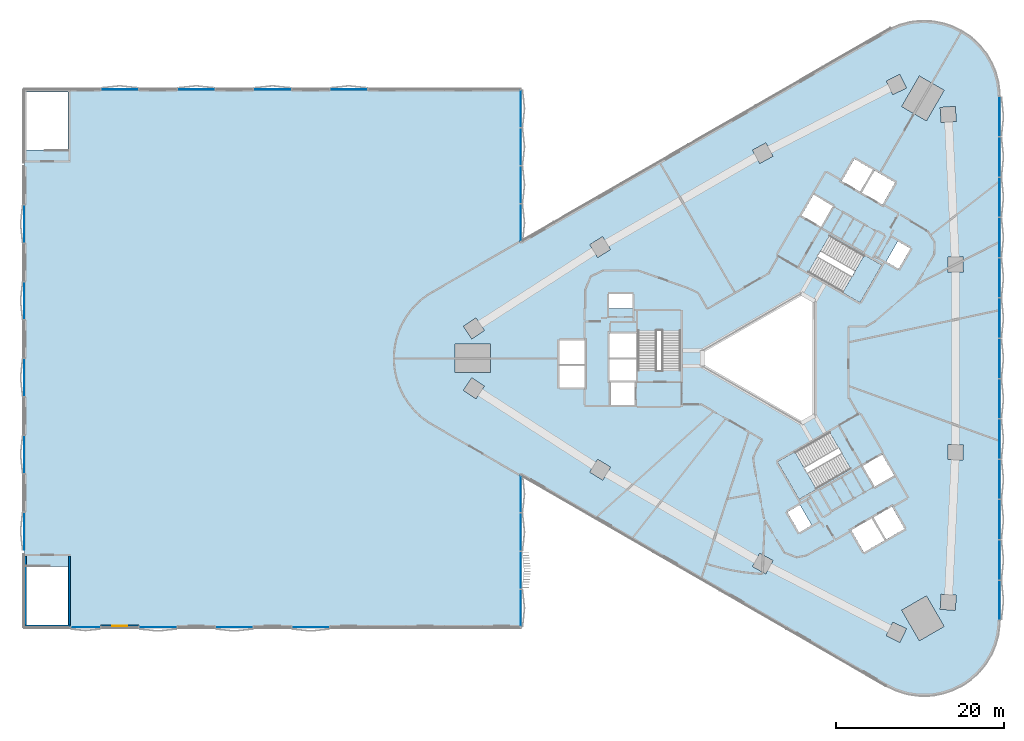
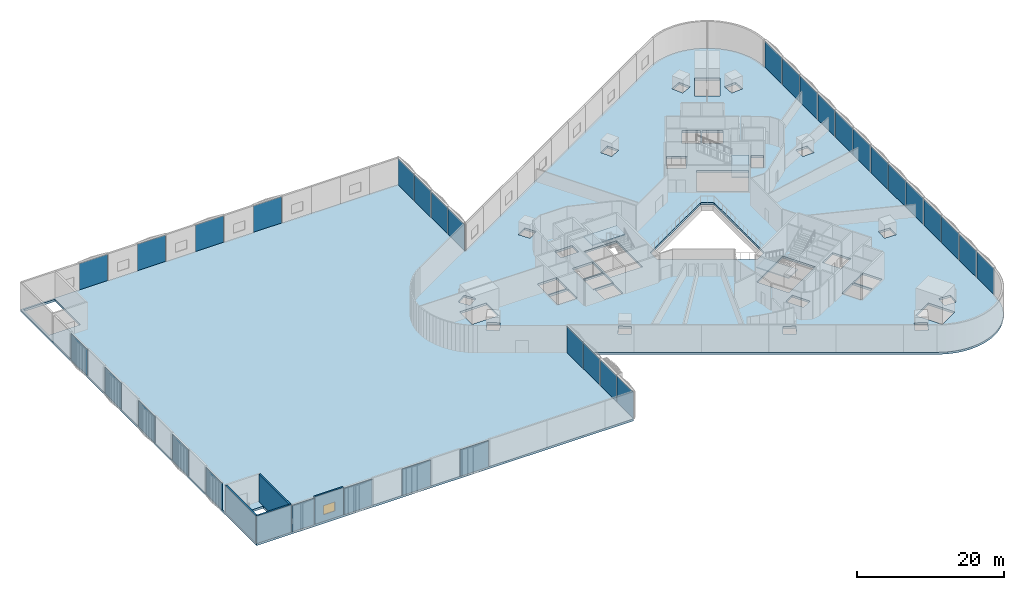
# One storey, part 10 of 24: 34 plates, 4 slabs, 4 walls, 1 window, 1 opening, 7 elements without a shape of their own.
"""IFC4 building model written with IfcOpenShell, lengths in metres."""

from ifc_helpers import new_model, si_unit, direction, frame, frame_2d, origin, origin_2d, place, context, subcontext, project, spatial, polyline, rectangle, outline, extrude, material, layer, layer_set, type_object, element, fill, aggregate, save


model = new_model("IFC4")

# Units and contexts
model_context = context("Model", 3, precision=1e-05, world=origin(), true_north=direction((0.0, 1.0)))
body_context = subcontext(model_context, "Body", "Model", "MODEL_VIEW")
ifc_project = project(units=[si_unit("LENGTHUNIT", "METRE"), si_unit("AREAUNIT", "SQUARE_METRE"), si_unit("VOLUMEUNIT", "CUBIC_METRE"), si_unit("PLANEANGLEUNIT", "RADIAN"), si_unit("MASSUNIT", "GRAM", prefix="KILO")], contexts=[model_context])

# Site, building, storey
site_placement = place(None, origin())
site = spatial("IfcSite", under=ifc_project, at=site_placement, CompositionType="ELEMENT")
building_placement = place(site_placement, origin())
building = spatial("IfcBuilding", under=site, at=building_placement, Name="Tamra Quay Hotel Tower", CompositionType="ELEMENT")
storey_placement = place(building_placement, frame((0.0, 0.0, 19.5)))
storey = spatial("IfcBuildingStorey", under=building, at=storey_placement, Name="L03", CompositionType="ELEMENT", Elevation=19.5)

# Stair, slab
ifc_material_1 = material(Name="Exit stair 2200 34 risers 147.1 going 299")
stair_type = type_object("IfcStairType", Name="Exit stair 2200 34 risers 147.1 going 299", PredefinedType="HALF_TURN_STAIR", material=ifc_material_1)
stair_1_placement = place(storey_placement, origin())
stair_1 = element("IfcStair", 1, at=stair_1_placement, inside=storey, type_object=stair_type, Name="L03 Exit stair ST3", PredefinedType="HALF_TURN_STAIR")
ifc_material_2 = material(Name="Concrete M70", Category="concrete")
ifc_layer_1 = layer(ifc_material_2, 0.175048828125)
ifc_layer_set_1 = layer_set([ifc_layer_1], Name="Concrete M70 stair landing 180")
slab_type_1 = type_object("IfcSlabType", Name="Concrete M70 stair landing 180", PredefinedType="LANDING", material=ifc_layer_set_1)
slab_1_placement = place(storey_placement, frame((0.0, 0.0, 2.324951171875)))
slab_1 = element("IfcSlab", 2, at=slab_1_placement, type_object=slab_type_1, Name="ST3 landing 1", PredefinedType="LANDING", context=body_context, shape_type="SweptSolid", body=[
    extrude(outline(polyline([(-10.932373046875, 3.283935546875), (-10.932373046875, 5.679931640625), (-16.09130859375, 5.679931640625), (-16.09130859375, 3.283935546875), (-10.932373046875, 3.283935546875)])), origin(), (0.0, 0.0, 1.0), 0.175048828125),
])
aggregate(stair_1, [slab_1])

stair_2_placement = place(storey_placement, origin())
stair_2 = element("IfcStair", 3, at=stair_2_placement, inside=storey, type_object=stair_type, Name="L03 Exit stair ST1", PredefinedType="HALF_TURN_STAIR")
slab_2_placement = place(storey_placement, frame((0.0, 0.0, 2.324951171875)))
slab_2 = element("IfcSlab", 4, at=slab_2_placement, type_object=slab_type_1, Name="ST1 landing 1", PredefinedType="LANDING", context=body_context, shape_type="SweptSolid", body=[
    extrude(outline(polyline([(8.31005859375, 7.82568359375), (10.385009765625, 6.627685546875), (12.964599609375, 11.095458984375), (10.8896484375, 12.29345703125), (8.31005859375, 7.82568359375)])), origin(), (0.0, 0.0, 1.0), 0.175048828125),
])
aggregate(stair_2, [slab_2])

stair_3_placement = place(storey_placement, origin())
stair_3 = element("IfcStair", 5, at=stair_3_placement, inside=storey, type_object=stair_type, Name="L03 Exit stair ST2", PredefinedType="HALF_TURN_STAIR")
slab_3_placement = place(storey_placement, frame((0.0, 0.0, 2.324951171875)))
slab_3 = element("IfcSlab", 6, at=slab_3_placement, type_object=slab_type_1, Name="ST2 landing 1", PredefinedType="LANDING", context=body_context, shape_type="SweptSolid", body=[
    extrude(outline(polyline([(2.622314453125, -11.109619140625), (0.547119140625, -12.3076171875), (3.126708984375, -16.775390625), (5.20166015625, -15.577392578125), (2.622314453125, -11.109619140625)])), origin(), (0.0, 0.0, 1.0), 0.175048828125),
])
aggregate(stair_3, [slab_3])

# Slab
ifc_material_3 = material(Name="Concrete M60", Category="concrete")
ifc_layer_2 = layer(ifc_material_3, 0.35009765625)
ifc_layer_set_2 = layer_set([ifc_layer_2], Name="FLOOR SLAB PT 350")
slab_type_2 = type_object("IfcSlabType", Name="FLOOR SLAB PT 350", PredefinedType="FLOOR", material=ifc_layer_set_2)
slab_4_placement = place(storey_placement, frame((0.0, 0.0, -0.35009765625)))
element("IfcSlab", 7, at=slab_4_placement, inside=storey, type_object=slab_type_2, Name="SLAB-L03", PredefinedType="FLOOR", context=body_context, shape_type="SweptSolid", body=[
    extrude(outline(polyline([(-89.10009765625, -32.0), (-89.10009765625, 32.0), (-30.0, 32.0), (-30.0, 13.8564453125), (13.5, 38.97119140625), (14.019287109375, 39.248779296875), (14.555908203125, 39.49169921875), (15.10693359375, 39.69921875), (15.670654296875, 39.8701171875), (16.244140625, 40.00390625), (16.8251953125, 40.099853515625), (17.411376953125, 40.15771484375), (18.0, 40.177001953125), (18.588623046875, 40.15771484375), (19.1748046875, 40.099853515625), (19.755859375, 40.00390625), (20.329345703125, 39.8701171875), (20.89306640625, 39.69921875), (21.444091796875, 39.49169921875), (21.980712890625, 39.248779296875), (22.5, 38.97119140625), (23.0, 38.66015625), (23.47900390625, 38.317138671875), (23.93408203125, 37.943603515625), (24.364013671875, 37.541015625), (24.7666015625, 37.111083984375), (25.14013671875, 36.65576171875), (25.483154296875, 36.177001953125), (25.794189453125, 35.677001953125), (26.072021484375, 35.157470703125), (26.31494140625, 34.62109375), (26.5224609375, 34.06982421875), (26.693359375, 33.50634765625), (26.8271484375, 32.9326171875), (26.923095703125, 32.351806640625), (26.980712890625, 31.765380859375), (27.0, 31.177001953125), (27.0, -31.177001953125), (26.980712890625, -31.765380859375), (26.923095703125, -32.351806640625), (26.8271484375, -32.9326171875), (26.693359375, -33.50634765625), (26.5224609375, -34.06982421875), (26.31494140625, -34.62109375), (26.072021484375, -35.157470703125), (25.794189453125, -35.677001953125), (25.483154296875, -36.177001953125), (25.14013671875, -36.65576171875), (24.7666015625, -37.111083984375), (24.364013671875, -37.541015625), (23.93408203125, -37.943603515625), (23.47900390625, -38.317138671875), (23.0, -38.66015625), (22.5, -38.97119140625), (21.980712890625, -39.248779296875), (21.444091796875, -39.49169921875), (20.89306640625, -39.69921875), (20.329345703125, -39.8701171875), (19.755859375, -40.00390625), (19.1748046875, -40.099853515625), (18.588623046875, -40.15771484375), (18.0, -40.177001953125), (17.411376953125, -40.15771484375), (16.8251953125, -40.099853515625), (16.244140625, -40.00390625), (15.670654296875, -39.8701171875), (15.10693359375, -39.69921875), (14.555908203125, -39.49169921875), (14.019287109375, -39.248779296875), (13.5, -38.97119140625), (-30.0, -13.8564453125), (-30.0, -32.0), (-89.10009765625, -32.0)]), holes=[polyline([(-88.824951171875, -24.794921875), (-88.824951171875, -31.72509765625), (-83.875, -31.72509765625), (-83.875, -24.794921875), (-88.824951171875, -24.794921875)]), polyline([(-2.417236328125, -24.785400390625), (-0.83447265625, -25.642578125), (0.022705078125, -24.059814453125), (-1.56005859375, -23.202392578125), (-2.417236328125, -24.785400390625)]), polyline([(3.1328125, -20.71630859375), (4.631103515625, -19.851318359375), (3.236083984375, -17.43505859375), (1.73779296875, -18.300048828125), (3.1328125, -20.71630859375)]), polyline([(-21.789794921875, -13.543701171875), (-20.256103515625, -14.48583984375), (-19.31396484375, -12.9521484375), (-20.84765625, -12.010009765625), (-21.789794921875, -13.543701171875)]), polyline([(-19.4072265625, -2.85498046875), (-19.4072265625, -2.89306640625), (-19.307373046875, -2.89306640625), (-19.307373046875, -5.544921875), (-16.417236328125, -5.544921875), (-16.417236328125, -2.89306640625), (-16.3173828125, -2.89306640625), (-16.3173828125, -2.85498046875), (-19.4072265625, -2.85498046875)]), polyline([(-36.8330078125, -3.8076171875), (-35.3408203125, -4.814208984375), (-34.333984375, -3.322021484375), (-35.826416015625, -2.3154296875), (-36.8330078125, -3.8076171875)]), polyline([(-22.3671875, -0.905029296875), (-25.4072265625, -0.905029296875), (-25.4072265625, -3.445068359375), (-22.3671875, -3.445068359375), (-22.3671875, -0.905029296875)]), polyline([(-19.417236328125, -2.64501953125), (-16.307373046875, -2.64501953125), (-16.307373046875, -2.89306640625), (-16.26708984375, -2.89306640625), (-16.26708984375, -0.10498046875), (-19.45751953125, -0.10498046875), (-19.45751953125, -2.89306640625), (-19.417236328125, -2.89306640625), (-19.417236328125, -2.64501953125)]), polyline([(-37.828857421875, 1.699951171875), (-37.828857421875, -1.699951171875), (-33.62890625, -1.699951171875), (-33.62890625, 1.699951171875), (-37.828857421875, 1.699951171875)]), polyline([(-8.39990234375, 0.923828125), (-8.39990234375, -0.923828125), (3.39990234375, -7.736572265625), (5.0, -6.812744140625), (5.0, 6.812744140625), (3.39990234375, 7.736572265625), (-8.39990234375, 0.923828125)]), polyline([(-22.3671875, -0.695068359375), (-22.3671875, 2.14501953125), (-25.4072265625, 2.14501953125), (-25.4072265625, -0.695068359375), (-22.3671875, -0.695068359375)]), polyline([(-16.26708984375, 0.10498046875), (-16.26708984375, 2.945068359375), (-19.45751953125, 2.945068359375), (-19.45751953125, 0.10498046875), (-16.26708984375, 0.10498046875)]), polyline([(-10.9873046875, -1.455078125), (-10.9873046875, 5.625), (-16.036376953125, 5.625), (-16.036376953125, -1.455078125), (-10.9873046875, -1.455078125)]), polyline([(-35.3408203125, 4.814208984375), (-36.8330078125, 3.8076171875), (-35.826416015625, 2.3154296875), (-34.333984375, 3.322021484375), (-35.3408203125, 4.814208984375)]), polyline([(-19.50732421875, 7.64501953125), (-19.50732421875, 5.9150390625), (-16.71728515625, 5.9150390625), (-16.71728515625, 7.64501953125), (-19.50732421875, 7.64501953125)]), polyline([(-19.31396484375, 12.9521484375), (-20.256103515625, 14.48583984375), (-21.789794921875, 13.543701171875), (-20.84765625, 12.010009765625), (-19.31396484375, 12.9521484375)]), polyline([(0.022705078125, 24.059814453125), (-0.83447265625, 25.642578125), (-2.417236328125, 24.785400390625), (-1.56005859375, 23.202392578125), (0.022705078125, 24.059814453125)]), polyline([(-83.875, 24.794921875), (-83.875, 31.72509765625), (-88.824951171875, 31.72509765625), (-88.824951171875, 24.794921875), (-83.875, 24.794921875)]), polyline([(13.501220703125, -33.012939453125), (15.118896484375, -33.802001953125), (15.907958984375, -32.18408203125), (14.290283203125, -31.395263671875), (13.501220703125, -33.012939453125)]), polyline([(17.442138671875, -33.61083984375), (20.38671875, -31.910888671875), (18.28662109375, -28.2734375), (15.34228515625, -29.973388671875), (17.442138671875, -33.61083984375)]), polyline([(21.714111328125, -29.994384765625), (21.839599609375, -28.198974609375), (20.0439453125, -28.0732421875), (19.91845703125, -29.868896484375), (21.714111328125, -29.994384765625)]), polyline([(11.78564453125, -19.02294921875), (9.325927734375, -20.443115234375), (10.845947265625, -23.075927734375), (13.3056640625, -21.65576171875), (11.78564453125, -19.02294921875)]), polyline([(11.96728515625, -18.91796875), (13.487548828125, -21.55078125), (15.68701171875, -20.281005859375), (14.1669921875, -17.648193359375), (11.96728515625, -18.91796875)]), polyline([(12.05615234375, -15.171875), (11.969482421875, -15.2216796875), (12.03955078125, -15.343017578125), (14.455810546875, -13.947998046875), (13.0107421875, -11.4453125), (10.68115234375, -12.790283203125), (12.05615234375, -15.171875)]), polyline([(9.2783203125, -13.160400390625), (6.75390625, -8.78759765625), (0.622314453125, -12.32763671875), (3.146728515625, -16.7001953125), (9.2783203125, -13.160400390625)]), polyline([(20.824951171875, -12.049560546875), (22.624267578125, -12.0986328125), (22.67333984375, -10.29931640625), (20.8740234375, -10.250244140625), (20.824951171875, -12.049560546875)]), polyline([(4.2333984375, 10.242919921875), (10.364990234375, 6.702880859375), (12.889404296875, 11.075439453125), (6.758056640625, 14.615478515625), (4.2333984375, 10.242919921875)]), polyline([(22.67333984375, 10.29931640625), (22.624267578125, 12.0986328125), (20.824951171875, 12.049560546875), (20.8740234375, 10.250244140625), (22.67333984375, 10.29931640625)]), polyline([(16.37451171875, 13.0712890625), (14.876220703125, 13.936279296875), (13.481201171875, 11.52001953125), (14.9794921875, 10.655029296875), (16.37451171875, 13.0712890625)]), polyline([(7.111083984375, 18.02685546875), (7.19775390625, 17.976806640625), (7.267578125, 18.09814453125), (4.8515625, 19.4931640625), (3.406494140625, 16.990234375), (5.736083984375, 15.645263671875), (7.111083984375, 18.02685546875)]), polyline([(10.58154296875, 19.718017578125), (13.041259765625, 18.298095703125), (14.561279296875, 20.930908203125), (12.101806640625, 22.350830078125), (10.58154296875, 19.718017578125)]), polyline([(10.39990234375, 19.822998046875), (11.919921875, 22.455810546875), (9.72021484375, 23.725830078125), (8.2001953125, 21.093017578125), (10.39990234375, 19.822998046875)]), polyline([(21.839599609375, 28.198974609375), (21.714111328125, 29.994384765625), (19.91845703125, 29.868896484375), (20.0439453125, 28.0732421875), (21.839599609375, 28.198974609375)]), polyline([(18.28662109375, 28.2734375), (20.38671875, 31.910888671875), (17.442138671875, 33.61083984375), (15.34228515625, 29.973388671875), (18.28662109375, 28.2734375)]), polyline([(15.907958984375, 32.18408203125), (15.118896484375, 33.802001953125), (13.501220703125, 33.012939453125), (14.290283203125, 31.395263671875), (15.907958984375, 32.18408203125)])]), origin(), (0.0, 0.0, 1.0), 0.35009765625),
])

# Curtain wall, plates
ifc_material_4 = material(Name="Aluminium 6063 anodised dark grey", Category="aluminium")
curtain_wall_type = type_object("IfcCurtainWallType", Name="CW4 CURTAIN WALL", PredefinedType="NOTDEFINED", material=ifc_material_4)
curtain_wall_1_placement = place(storey_placement, origin())
curtain_wall_1 = element("IfcCurtainWall", 8, at=curtain_wall_1_placement, inside=storey, type_object=curtain_wall_type, Name="CW4 east face L03", PredefinedType="NOTDEFINED")
ifc_material_5 = material(Name="Glass clear laminated low-iron", Category="glass")
ifc_layer_3 = layer(ifc_material_5, 0.0400390625)
ifc_layer_set_3 = layer_set([ifc_layer_3], Name="GLASS PANEL CW4")
plate_type = type_object("IfcPlateType", Name="GLASS PANEL CW4", PredefinedType="CURTAIN_PANEL", material=ifc_layer_set_3)
plate_1_placement = place(storey_placement, frame((-30.0, -29.73193359375, 0.0), z_axis=(0.0, 0.0, 1.0), x_axis=(0.0, 1.0, 0.0)))
plate_1 = element("IfcPlate", 9, at=plate_1_placement, type_object=plate_type, Name="CW4 glass L03.E.1", PredefinedType="CURTAIN_PANEL", context=body_context, shape_type="SweptSolid", body=[
    extrude(rectangle(XDim=4.416015625, YDim=0.0400390625, at=origin_2d()), origin(), (0.0, 0.0, 1.0), 4.3701171875),
])
plate_2_placement = place(storey_placement, frame((-30.0, -25.196044921875, 0.0), z_axis=(0.0, 0.0, 1.0), x_axis=(0.0, 1.0, 0.0)))
plate_2 = element("IfcPlate", 10, at=plate_2_placement, type_object=plate_type, Name="CW4 glass L03.E.2", PredefinedType="CURTAIN_PANEL", context=body_context, shape_type="SweptSolid", body=[
    extrude(rectangle(XDim=4.416015625, YDim=0.0400390625, at=origin_2d()), origin(), (0.0, 0.0, 1.0), 4.3701171875),
])
plate_3_placement = place(storey_placement, frame((-30.0, -20.66015625, 0.0), z_axis=(0.0, 0.0, 1.0), x_axis=(0.0, 1.0, 0.0)))
plate_3 = element("IfcPlate", 11, at=plate_3_placement, type_object=plate_type, Name="CW4 glass L03.E.3", PredefinedType="CURTAIN_PANEL", context=body_context, shape_type="SweptSolid", body=[
    extrude(rectangle(XDim=4.416015625, YDim=0.0400390625, at=origin_2d()), origin(), (0.0, 0.0, 1.0), 4.3701171875),
])
plate_4_placement = place(storey_placement, frame((-30.0, -16.124267578125, 0.0), z_axis=(0.0, 0.0, 1.0), x_axis=(0.0, 1.0, 0.0)))
plate_4 = element("IfcPlate", 12, at=plate_4_placement, type_object=plate_type, Name="CW4 glass L03.E.4", PredefinedType="CURTAIN_PANEL", context=body_context, shape_type="SweptSolid", body=[
    extrude(rectangle(XDim=4.416015625, YDim=0.0400390625, at=origin_2d()), origin(), (0.0, 0.0, 1.0), 4.3701171875),
])
plate_5_placement = place(storey_placement, frame((27.0, -28.77880859375, 0.0), z_axis=(0.0, 0.0, 1.0), x_axis=(0.0, 1.0, 0.0)))
plate_5 = element("IfcPlate", 13, at=plate_5_placement, type_object=plate_type, Name="CW4 glass L03.E.5", PredefinedType="CURTAIN_PANEL", context=body_context, shape_type="SweptSolid", body=[
    extrude(rectangle(XDim=4.676513671875, YDim=0.0400390625, at=origin_2d()), origin(), (0.0, 0.0, 1.0), 4.3701171875),
])
plate_6_placement = place(storey_placement, frame((27.0, -23.982177734375, 0.0), z_axis=(0.0, 0.0, 1.0), x_axis=(0.0, 1.0, 0.0)))
plate_6 = element("IfcPlate", 14, at=plate_6_placement, type_object=plate_type, Name="CW4 glass L03.E.6", PredefinedType="CURTAIN_PANEL", context=body_context, shape_type="SweptSolid", body=[
    extrude(rectangle(XDim=4.676513671875, YDim=0.0400390625, at=origin_2d()), origin(), (0.0, 0.0, 1.0), 4.3701171875),
])
plate_7_placement = place(storey_placement, frame((27.0, -19.185791015625, 0.0), z_axis=(0.0, 0.0, 1.0), x_axis=(0.0, 1.0, 0.0)))
plate_7 = element("IfcPlate", 15, at=plate_7_placement, type_object=plate_type, Name="CW4 glass L03.E.7", PredefinedType="CURTAIN_PANEL", context=body_context, shape_type="SweptSolid", body=[
    extrude(rectangle(XDim=4.676513671875, YDim=0.0400390625, at=origin_2d()), origin(), (0.0, 0.0, 1.0), 4.3701171875),
])
plate_8_placement = place(storey_placement, frame((27.0, -14.389404296875, 0.0), z_axis=(0.0, 0.0, 1.0), x_axis=(0.0, 1.0, 0.0)))
plate_8 = element("IfcPlate", 16, at=plate_8_placement, type_object=plate_type, Name="CW4 glass L03.E.8", PredefinedType="CURTAIN_PANEL", context=body_context, shape_type="SweptSolid", body=[
    extrude(rectangle(XDim=4.676513671875, YDim=0.0400390625, at=origin_2d()), origin(), (0.0, 0.0, 1.0), 4.3701171875),
])
plate_9_placement = place(storey_placement, frame((27.0, -9.593017578125, 0.0), z_axis=(0.0, 0.0, 1.0), x_axis=(0.0, 1.0, 0.0)))
plate_9 = element("IfcPlate", 17, at=plate_9_placement, type_object=plate_type, Name="CW4 glass L03.E.9", PredefinedType="CURTAIN_PANEL", context=body_context, shape_type="SweptSolid", body=[
    extrude(rectangle(XDim=4.676513671875, YDim=0.0400390625, at=origin_2d()), origin(), (0.0, 0.0, 1.0), 4.3701171875),
])
plate_10_placement = place(storey_placement, frame((27.0, -4.79638671875, 0.0), z_axis=(0.0, 0.0, 1.0), x_axis=(0.0, 1.0, 0.0)))
plate_10 = element("IfcPlate", 18, at=plate_10_placement, type_object=plate_type, Name="CW4 glass L03.E.10", PredefinedType="CURTAIN_PANEL", context=body_context, shape_type="SweptSolid", body=[
    extrude(rectangle(XDim=4.676513671875, YDim=0.0400390625, at=origin_2d()), origin(), (0.0, 0.0, 1.0), 4.3701171875),
])
plate_11_placement = place(storey_placement, frame((27.0, 0.0, 0.0), z_axis=(0.0, 0.0, 1.0), x_axis=(0.0, 1.0, 0.0)))
plate_11 = element("IfcPlate", 19, at=plate_11_placement, type_object=plate_type, Name="CW4 glass L03.E.11", PredefinedType="CURTAIN_PANEL", context=body_context, shape_type="SweptSolid", body=[
    extrude(rectangle(XDim=4.676513671875, YDim=0.0400390625, at=origin_2d()), origin(), (0.0, 0.0, 1.0), 4.3701171875),
])
plate_12_placement = place(storey_placement, frame((27.0, 4.79638671875, 0.0), z_axis=(0.0, 0.0, 1.0), x_axis=(0.0, 1.0, 0.0)))
plate_12 = element("IfcPlate", 20, at=plate_12_placement, type_object=plate_type, Name="CW4 glass L03.E.12", PredefinedType="CURTAIN_PANEL", context=body_context, shape_type="SweptSolid", body=[
    extrude(rectangle(XDim=4.676513671875, YDim=0.0400390625, at=origin_2d()), origin(), (0.0, 0.0, 1.0), 4.3701171875),
])
plate_13_placement = place(storey_placement, frame((27.0, 9.593017578125, 0.0), z_axis=(0.0, 0.0, 1.0), x_axis=(0.0, 1.0, 0.0)))
plate_13 = element("IfcPlate", 21, at=plate_13_placement, type_object=plate_type, Name="CW4 glass L03.E.13", PredefinedType="CURTAIN_PANEL", context=body_context, shape_type="SweptSolid", body=[
    extrude(rectangle(XDim=4.676513671875, YDim=0.0400390625, at=origin_2d()), origin(), (0.0, 0.0, 1.0), 4.3701171875),
])
plate_14_placement = place(storey_placement, frame((27.0, 14.389404296875, 0.0), z_axis=(0.0, 0.0, 1.0), x_axis=(0.0, 1.0, 0.0)))
plate_14 = element("IfcPlate", 22, at=plate_14_placement, type_object=plate_type, Name="CW4 glass L03.E.14", PredefinedType="CURTAIN_PANEL", context=body_context, shape_type="SweptSolid", body=[
    extrude(rectangle(XDim=4.676513671875, YDim=0.0400390625, at=origin_2d()), origin(), (0.0, 0.0, 1.0), 4.3701171875),
])
plate_15_placement = place(storey_placement, frame((27.0, 19.185791015625, 0.0), z_axis=(0.0, 0.0, 1.0), x_axis=(0.0, 1.0, 0.0)))
plate_15 = element("IfcPlate", 23, at=plate_15_placement, type_object=plate_type, Name="CW4 glass L03.E.15", PredefinedType="CURTAIN_PANEL", context=body_context, shape_type="SweptSolid", body=[
    extrude(rectangle(XDim=4.676513671875, YDim=0.0400390625, at=origin_2d()), origin(), (0.0, 0.0, 1.0), 4.3701171875),
])
plate_16_placement = place(storey_placement, frame((27.0, 23.982177734375, 0.0), z_axis=(0.0, 0.0, 1.0), x_axis=(0.0, 1.0, 0.0)))
plate_16 = element("IfcPlate", 24, at=plate_16_placement, type_object=plate_type, Name="CW4 glass L03.E.16", PredefinedType="CURTAIN_PANEL", context=body_context, shape_type="SweptSolid", body=[
    extrude(rectangle(XDim=4.676513671875, YDim=0.0400390625, at=origin_2d()), origin(), (0.0, 0.0, 1.0), 4.3701171875),
])
plate_17_placement = place(storey_placement, frame((27.0, 28.77880859375, 0.0), z_axis=(0.0, 0.0, 1.0), x_axis=(0.0, 1.0, 0.0)))
plate_17 = element("IfcPlate", 25, at=plate_17_placement, type_object=plate_type, Name="CW4 glass L03.E.17", PredefinedType="CURTAIN_PANEL", context=body_context, shape_type="SweptSolid", body=[
    extrude(rectangle(XDim=4.676513671875, YDim=0.0400390625, at=origin_2d()), origin(), (0.0, 0.0, 1.0), 4.3701171875),
])
plate_18_placement = place(storey_placement, frame((-30.0, 16.124267578125, 0.0), z_axis=(0.0, 0.0, 1.0), x_axis=(0.0, 1.0, 0.0)))
plate_18 = element("IfcPlate", 26, at=plate_18_placement, type_object=plate_type, Name="CW4 glass L03.E.18", PredefinedType="CURTAIN_PANEL", context=body_context, shape_type="SweptSolid", body=[
    extrude(rectangle(XDim=4.416015625, YDim=0.0400390625, at=origin_2d()), origin(), (0.0, 0.0, 1.0), 4.3701171875),
])
plate_19_placement = place(storey_placement, frame((-30.0, 20.66015625, 0.0), z_axis=(0.0, 0.0, 1.0), x_axis=(0.0, 1.0, 0.0)))
plate_19 = element("IfcPlate", 27, at=plate_19_placement, type_object=plate_type, Name="CW4 glass L03.E.19", PredefinedType="CURTAIN_PANEL", context=body_context, shape_type="SweptSolid", body=[
    extrude(rectangle(XDim=4.416015625, YDim=0.0400390625, at=origin_2d()), origin(), (0.0, 0.0, 1.0), 4.3701171875),
])
plate_20_placement = place(storey_placement, frame((-30.0, 25.196044921875, 0.0), z_axis=(0.0, 0.0, 1.0), x_axis=(0.0, 1.0, 0.0)))
plate_20 = element("IfcPlate", 28, at=plate_20_placement, type_object=plate_type, Name="CW4 glass L03.E.20", PredefinedType="CURTAIN_PANEL", context=body_context, shape_type="SweptSolid", body=[
    extrude(rectangle(XDim=4.416015625, YDim=0.0400390625, at=origin_2d()), origin(), (0.0, 0.0, 1.0), 4.3701171875),
])
plate_21_placement = place(storey_placement, frame((-30.0, 29.73193359375, 0.0), z_axis=(0.0, 0.0, 1.0), x_axis=(0.0, 1.0, 0.0)))
plate_21 = element("IfcPlate", 29, at=plate_21_placement, type_object=plate_type, Name="CW4 glass L03.E.21", PredefinedType="CURTAIN_PANEL", context=body_context, shape_type="SweptSolid", body=[
    extrude(rectangle(XDim=4.416015625, YDim=0.0400390625, at=origin_2d()), origin(), (0.0, 0.0, 1.0), 4.3701171875),
])
aggregate(curtain_wall_1, [plate_1, plate_2, plate_3, plate_4, plate_5, plate_6, plate_7, plate_8, plate_9, plate_10, plate_11, plate_12, plate_13, plate_14, plate_15, plate_16, plate_17, plate_18, plate_19, plate_20, plate_21])

curtain_wall_2_placement = place(storey_placement, origin())
curtain_wall_2 = element("IfcCurtainWall", 30, at=curtain_wall_2_placement, inside=storey, type_object=curtain_wall_type, Name="CW4 south-west face L03", PredefinedType="NOTDEFINED")
plate_22_placement = place(storey_placement, frame((-81.803955078125, -32.0, 0.0), z_axis=(0.0, 0.0, 1.0), x_axis=(1.0, 0.0, 0.0)))
plate_22 = element("IfcPlate", 31, at=plate_22_placement, type_object=plate_type, Name="CW4 glass L03.SW.1", PredefinedType="CURTAIN_PANEL", context=body_context, shape_type="SweptSolid", body=[
    extrude(rectangle(XDim=3.472412109375, YDim=0.0400390625, at=origin_2d()), origin(), (0.0, 0.0, 1.0), 4.3701171875),
])
plate_23_placement = place(storey_placement, frame((-73.1884765625, -32.0, 0.0), z_axis=(0.0, 0.0, 1.0), x_axis=(1.0, 0.0, 0.0)))
plate_23 = element("IfcPlate", 32, at=plate_23_placement, type_object=plate_type, Name="CW4 glass L03.SW.2", PredefinedType="CURTAIN_PANEL", context=body_context, shape_type="SweptSolid", body=[
    extrude(rectangle(XDim=4.42626953125, YDim=0.0400390625, at=origin_2d()), origin(), (0.0, 0.0, 1.0), 4.3701171875),
])
plate_24_placement = place(storey_placement, frame((-64.09619140625, -32.0, 0.0), z_axis=(0.0, 0.0, 1.0), x_axis=(1.0, 0.0, 0.0)))
plate_24 = element("IfcPlate", 33, at=plate_24_placement, type_object=plate_type, Name="CW4 glass L03.SW.3", PredefinedType="CURTAIN_PANEL", context=body_context, shape_type="SweptSolid", body=[
    extrude(rectangle(XDim=4.42626953125, YDim=0.0400390625, at=origin_2d()), origin(), (0.0, 0.0, 1.0), 4.3701171875),
])
plate_25_placement = place(storey_placement, frame((-55.00390625, -32.0, 0.0), z_axis=(0.0, 0.0, 1.0), x_axis=(1.0, 0.0, 0.0)))
plate_25 = element("IfcPlate", 34, at=plate_25_placement, type_object=plate_type, Name="CW4 glass L03.SW.4", PredefinedType="CURTAIN_PANEL", context=body_context, shape_type="SweptSolid", body=[
    extrude(rectangle(XDim=4.42626953125, YDim=0.0400390625, at=origin_2d()), origin(), (0.0, 0.0, 1.0), 4.3701171875),
])
aggregate(curtain_wall_2, [plate_22, plate_23, plate_24, plate_25])

curtain_wall_3_placement = place(storey_placement, origin())
curtain_wall_3 = element("IfcCurtainWall", 35, at=curtain_wall_3_placement, inside=storey, type_object=curtain_wall_type, Name="CW4 north-west face L03", PredefinedType="NOTDEFINED")
plate_26_placement = place(storey_placement, frame((-50.457763671875, 32.0, 0.0), z_axis=(0.0, 0.0, 1.0), x_axis=(-1.0, 0.0, 0.0)))
plate_26 = element("IfcPlate", 36, at=plate_26_placement, type_object=plate_type, Name="CW4 glass L03.NW.1", PredefinedType="CURTAIN_PANEL", context=body_context, shape_type="SweptSolid", body=[
    extrude(rectangle(XDim=4.42626953125, YDim=0.0400390625, at=origin_2d()), origin(), (0.0, 0.0, 1.0), 4.3701171875),
])
plate_27_placement = place(storey_placement, frame((-59.550048828125, 32.0, 0.0), z_axis=(0.0, 0.0, 1.0), x_axis=(-1.0, 0.0, 0.0)))
plate_27 = element("IfcPlate", 37, at=plate_27_placement, type_object=plate_type, Name="CW4 glass L03.NW.2", PredefinedType="CURTAIN_PANEL", context=body_context, shape_type="SweptSolid", body=[
    extrude(rectangle(XDim=4.42626953125, YDim=0.0400390625, at=origin_2d()), origin(), (0.0, 0.0, 1.0), 4.3701171875),
])
plate_28_placement = place(storey_placement, frame((-68.642333984375, 32.0, 0.0), z_axis=(0.0, 0.0, 1.0), x_axis=(-1.0, 0.0, 0.0)))
plate_28 = element("IfcPlate", 38, at=plate_28_placement, type_object=plate_type, Name="CW4 glass L03.NW.3", PredefinedType="CURTAIN_PANEL", context=body_context, shape_type="SweptSolid", body=[
    extrude(rectangle(XDim=4.42626953125, YDim=0.0400390625, at=origin_2d()), origin(), (0.0, 0.0, 1.0), 4.3701171875),
])
plate_29_placement = place(storey_placement, frame((-77.734619140625, 32.0, 0.0), z_axis=(0.0, 0.0, 1.0), x_axis=(-1.0, 0.0, 0.0)))
plate_29 = element("IfcPlate", 39, at=plate_29_placement, type_object=plate_type, Name="CW4 glass L03.NW.4", PredefinedType="CURTAIN_PANEL", context=body_context, shape_type="SweptSolid", body=[
    extrude(rectangle(XDim=4.42626953125, YDim=0.0400390625, at=origin_2d()), origin(), (0.0, 0.0, 1.0), 4.3701171875),
])
aggregate(curtain_wall_3, [plate_26, plate_27, plate_28, plate_29])

curtain_wall_4_placement = place(storey_placement, origin())
curtain_wall_4 = element("IfcCurtainWall", 40, at=curtain_wall_4_placement, inside=storey, type_object=curtain_wall_type, Name="CW4 west face L03", PredefinedType="NOTDEFINED")
plate_30_placement = place(storey_placement, frame((-89.10009765625, 16.0, 0.0), z_axis=(0.0, 0.0, 1.0), x_axis=(0.0, -1.0, 0.0)))
plate_30 = element("IfcPlate", 41, at=plate_30_placement, type_object=plate_type, Name="CW4 glass L03.W.1", PredefinedType="CURTAIN_PANEL", context=body_context, shape_type="SweptSolid", body=[
    extrude(rectangle(XDim=4.451416015625, YDim=0.0400390625, at=origin_2d()), origin(), (0.0, 0.0, 1.0), 4.3701171875),
])
plate_31_placement = place(storey_placement, frame((-89.10009765625, 6.857177734375, 0.0), z_axis=(0.0, 0.0, 1.0), x_axis=(0.0, -1.0, 0.0)))
plate_31 = element("IfcPlate", 42, at=plate_31_placement, type_object=plate_type, Name="CW4 glass L03.W.2", PredefinedType="CURTAIN_PANEL", context=body_context, shape_type="SweptSolid", body=[
    extrude(rectangle(XDim=4.451416015625, YDim=0.0400390625, at=origin_2d()), origin(), (0.0, 0.0, 1.0), 4.3701171875),
])
plate_32_placement = place(storey_placement, frame((-89.10009765625, -2.28564453125, 0.0), z_axis=(0.0, 0.0, 1.0), x_axis=(0.0, -1.0, 0.0)))
plate_32 = element("IfcPlate", 43, at=plate_32_placement, type_object=plate_type, Name="CW4 glass L03.W.3", PredefinedType="CURTAIN_PANEL", context=body_context, shape_type="SweptSolid", body=[
    extrude(rectangle(XDim=4.451416015625, YDim=0.0400390625, at=origin_2d()), origin(), (0.0, 0.0, 1.0), 4.3701171875),
])
plate_33_placement = place(storey_placement, frame((-89.10009765625, -11.428466796875, 0.0), z_axis=(0.0, 0.0, 1.0), x_axis=(0.0, -1.0, 0.0)))
plate_33 = element("IfcPlate", 44, at=plate_33_placement, type_object=plate_type, Name="CW4 glass L03.W.4", PredefinedType="CURTAIN_PANEL", context=body_context, shape_type="SweptSolid", body=[
    extrude(rectangle(XDim=4.451416015625, YDim=0.0400390625, at=origin_2d()), origin(), (0.0, 0.0, 1.0), 4.3701171875),
])
plate_34_placement = place(storey_placement, frame((-89.10009765625, -20.571533203125, 0.0), z_axis=(0.0, 0.0, 1.0), x_axis=(0.0, -1.0, 0.0)))
plate_34 = element("IfcPlate", 45, at=plate_34_placement, type_object=plate_type, Name="CW4 glass L03.W.5", PredefinedType="CURTAIN_PANEL", context=body_context, shape_type="SweptSolid", body=[
    extrude(rectangle(XDim=4.451416015625, YDim=0.0400390625, at=origin_2d()), origin(), (0.0, 0.0, 1.0), 4.3701171875),
])
aggregate(curtain_wall_4, [plate_30, plate_31, plate_32, plate_33, plate_34])

# Walls
ifc_layer_4 = layer(ifc_material_2, 0.199951171875)
ifc_layer_set_4 = layer_set([ifc_layer_4], Name="Concrete M70 core wall 200")
wall_type_1 = type_object("IfcWallType", Name="Concrete M70 core wall 200", PredefinedType="SHEAR", material=ifc_layer_set_4)
wall_1_placement = place(storey_placement, frame((-89.10009765625, -31.875, 0.0), z_axis=(0.0, 0.0, 1.0), x_axis=(1.0, 0.0, 0.0)))
element("IfcWall", 46, at=wall_1_placement, inside=storey, type_object=wall_type_1, Name="CW2", PredefinedType="SHEAR", context=body_context, shape_type="SweptSolid", body=[
    extrude(rectangle(XDim=5.5, YDim=0.25, at=frame_2d((2.75, 0.0))), origin(), (0.0, 0.0, 1.0), 4.550048828125),
])
for number, where, z_axis, x_axis, name in (
    (47, (-88.97509765625, -31.75, 0.0), (0.0, 0.0, 1.0), (0.0, 1.0, 0.0), "CW2"),
    (48, (-83.72509765625, -31.75, 0.0), (0.0, 0.0, 1.0), (0.0, 1.0, 0.0), "CW2"),
):
    element("IfcWall", number, at=place(storey_placement, frame(where, z_axis=z_axis, x_axis=x_axis)), inside=storey, type_object=wall_type_1, Name=name, PredefinedType="SHEAR", context=body_context, shape_type="SweptSolid", body=[
        extrude(rectangle(XDim=8.199951171875, YDim=0.25, at=frame_2d((4.10009765625, 0.0))), origin(), (0.0, 0.0, 1.0), 4.550048828125),
    ])

# Wall, opening, window
ifc_material_6 = material(Name="Blockwork masonry plastered", Category="masonry")
ifc_layer_5 = layer(ifc_material_6, 0.25)
ifc_layer_set_5 = layer_set([ifc_layer_5], Name="EXTERNAL WALL 250")
wall_type_2 = type_object("IfcWallType", Name="EXTERNAL WALL 250", PredefinedType="SOLIDWALL", material=ifc_layer_set_5)
wall_2_placement = place(storey_placement, frame((-75.46142578125, -31.875, 0.0), z_axis=(0.0, 0.0, 1.0), x_axis=(-1.0, 0.0, 0.0)))
wall_2 = element("IfcWall", 49, at=wall_2_placement, inside=storey, type_object=wall_type_2, Name="EW1", PredefinedType="SOLIDWALL", context=body_context, shape_type="SweptSolid", body=[
    extrude(rectangle(XDim=4.54638671875, YDim=0.25, at=frame_2d((2.273193359375, 0.0))), origin(), (0.0, 0.0, 1.0), 4.550048828125),
])
opening_placement = place(wall_2_placement, frame((1.373046875, 0.0, 1.10009765625)))
opening = element("IfcOpeningElement", 50, at=opening_placement, cuts=wall_2, Name="Opening PW2", PredefinedType="OPENING", context=body_context, shape_type="SweptSolid", body=[
    extrude(rectangle(XDim=1.800048828125, YDim=1.5, at=frame_2d((0.89990234375, 0.75))), frame((0.0, 0.135009765625, 0.0), z_axis=(0.0, -1.0, 0.0), x_axis=(1.0, 0.0, 0.0)), (0.0, 0.0, 1.0), 0.27001953125),
])
ifc_material_7 = material(Name="Aluminium window with clear glass", Category="aluminium")
window_type = type_object("IfcWindowType", Name="PODIUM WINDOW 1800X1500", PartitioningType="DOUBLE_PANEL_VERTICAL", PredefinedType="WINDOW", material=ifc_material_7)
window_placement = place(opening_placement, origin())
window = element("IfcWindow", 51, at=window_placement, inside=storey, type_object=window_type, Name="PW2", OverallHeight=1.5, OverallWidth=1.800048828125, PartitioningType="SINGLE_PANEL", PredefinedType="WINDOW", context=body_context, shape_type="SweptSolid", body=[
    extrude(rectangle(XDim=1.800048828125, YDim=1.5, at=frame_2d((0.89990234375, 0.75))), frame((0.0, 0.030029296875, 0.0), z_axis=(0.0, -1.0, 0.0), x_axis=(1.0, 0.0, 0.0)), (0.0, 0.0, 1.0), 0.06005859375),
])
fill(opening, window)

save(model, "model.ifc")
